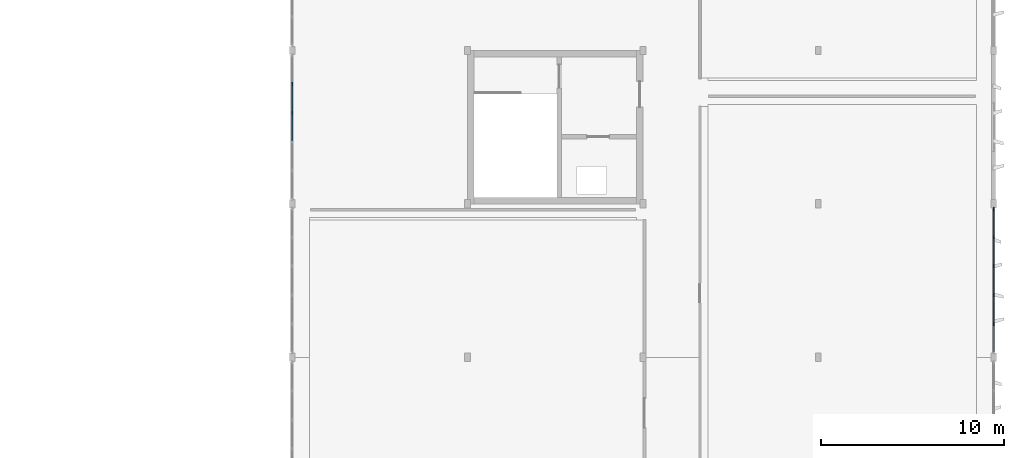
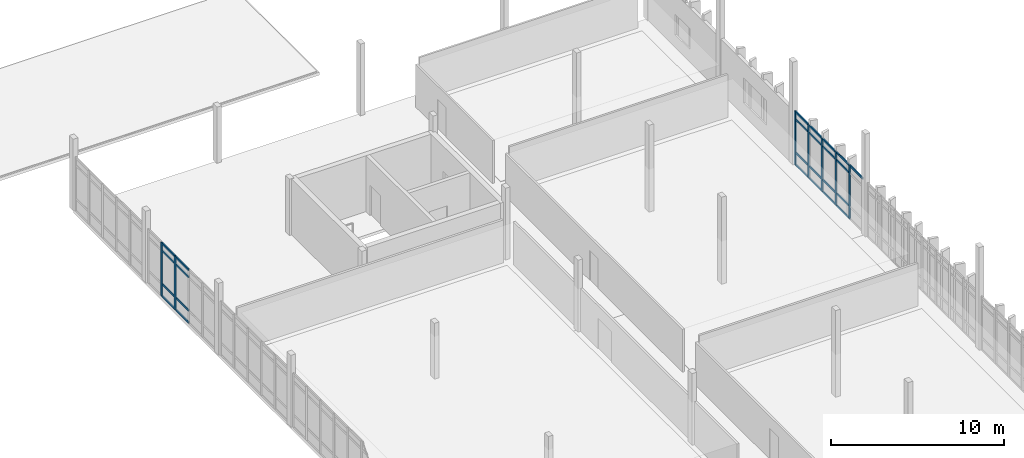
# One storey, part 27 of 61: 32 members, 2 elements without a shape of their own.
"""IFC4 building model written with IfcOpenShell, lengths in metres."""

from ifc_helpers import new_model, si_unit, direction, frame, origin, origin_2d, place, context, subcontext, project, spatial, rectangle, extrude, material, layer, layer_set, material_profile, profile_set, type_object, element, aggregate, save


model = new_model("IFC4")

# Units and contexts
model_context = context("Model", 3, precision=1e-05, world=origin(), true_north=direction((0.0, 1.0)))
body_context = subcontext(model_context, "Body", "Model", "MODEL_VIEW")
ifc_project = project(units=[si_unit("LENGTHUNIT", "METRE"), si_unit("AREAUNIT", "SQUARE_METRE"), si_unit("VOLUMEUNIT", "CUBIC_METRE"), si_unit("PLANEANGLEUNIT", "RADIAN"), si_unit("MASSUNIT", "GRAM", prefix="KILO")], contexts=[model_context])

# Site, building, storey
site_placement = place(None, origin())
site = spatial("IfcSite", under=ifc_project, at=site_placement, CompositionType="ELEMENT")
building_placement = place(site_placement, origin())
building = spatial("IfcBuilding", under=site, at=building_placement, Name="Kolvemor Railside Polytechnic", CompositionType="ELEMENT")
storey_placement = place(building_placement, frame((0.0, 0.0, 10.199951171875)))
storey = spatial("IfcBuildingStorey", under=building, at=storey_placement, Name="L02", CompositionType="ELEMENT", Elevation=10.199951171875)

# Curtain wall, members
ifc_material_1 = material(Name="Anodised marine aluminium and laminated low-E glass", Category="aluminium")
ifc_layer = layer(ifc_material_1, 0.179931640625, Name="CW-UNIT-STD")
ifc_layer_set = layer_set([ifc_layer], Name="Anodised marine aluminium and laminated low-E glass")
curtain_wall_type = type_object("IfcCurtainWallType", Name="CW-UNIT-STD", PredefinedType="USERDEFINED", material=ifc_layer_set)
curtain_wall_1_placement = place(storey_placement, origin())
curtain_wall_1 = element("IfcCurtainWall", 1, at=curtain_wall_1_placement, inside=storey, type_object=curtain_wall_type, Name="Curtain Wall L02-073", ObjectType="UNITISED CURTAIN WALL", PredefinedType="USERDEFINED")
ifc_material_2 = material(Name="Anodised marine aluminium 6063-T6", Category="aluminium")
ifc_material_profile_1 = material_profile(ifc_material_2, rectangle(XDim=0.074951171875, YDim=0.179931640625, at=origin_2d()), Name="CW-MUL-75x180")
ifc_profile_set_1 = profile_set([ifc_material_profile_1], Name="Anodised marine aluminium 6063-T6")
member_type_1 = type_object("IfcMemberType", Name="CWM-75x180", PredefinedType="MULLION", material=ifc_profile_set_1)
member_1_placement = place(storey_placement, frame((182.39990234375, 53.424072265625, 0.0), z_axis=(0.0, 0.0, 1.0), x_axis=(-1.0, 0.0, 0.0)))
member_1 = element("IfcMember", 2, at=member_1_placement, type_object=member_type_1, Name="CW-STD mullion 2", PredefinedType="MULLION", context=body_context, shape_type="SweptSolid", body=[
    extrude(rectangle(XDim=0.074951171875, YDim=0.179931640625, at=origin_2d()), origin(), (0.0, 0.0, 1.0), 3.800048828125),
])
member_2_placement = place(storey_placement, frame((182.39990234375, 55.008056640625, 0.0), z_axis=(0.0, 0.0, 1.0), x_axis=(-1.0, 0.0, 0.0)))
member_2 = element("IfcMember", 3, at=member_2_placement, type_object=member_type_1, Name="CW-STD mullion 3", PredefinedType="MULLION", context=body_context, shape_type="SweptSolid", body=[
    extrude(rectangle(XDim=0.074951171875, YDim=0.179931640625, at=origin_2d()), origin(), (0.0, 0.0, 1.0), 3.800048828125),
])
member_3_placement = place(storey_placement, frame((182.39990234375, 56.592041015625, 0.0), z_axis=(0.0, 0.0, 1.0), x_axis=(-1.0, 0.0, 0.0)))
member_3 = element("IfcMember", 4, at=member_3_placement, type_object=member_type_1, Name="CW-STD mullion 4", PredefinedType="MULLION", context=body_context, shape_type="SweptSolid", body=[
    extrude(rectangle(XDim=0.074951171875, YDim=0.179931640625, at=origin_2d()), origin(), (0.0, 0.0, 1.0), 3.800048828125),
])
member_4_placement = place(storey_placement, frame((182.39990234375, 58.176025390625, 0.0), z_axis=(0.0, 0.0, 1.0), x_axis=(-1.0, 0.0, 0.0)))
member_4 = element("IfcMember", 5, at=member_4_placement, type_object=member_type_1, Name="CW-STD mullion 5", PredefinedType="MULLION", context=body_context, shape_type="SweptSolid", body=[
    extrude(rectangle(XDim=0.074951171875, YDim=0.179931640625, at=origin_2d()), origin(), (0.0, 0.0, 1.0), 3.800048828125),
])
member_5_placement = place(storey_placement, frame((182.39990234375, 59.722412109375, 0.0), z_axis=(0.0, 0.0, 1.0), x_axis=(-1.0, 0.0, 0.0)))
member_5 = element("IfcMember", 6, at=member_5_placement, type_object=member_type_1, Name="CW-STD mullion 6", PredefinedType="MULLION", context=body_context, shape_type="SweptSolid", body=[
    extrude(rectangle(XDim=0.074951171875, YDim=0.179931640625, at=origin_2d()), origin(), (0.0, 0.0, 1.0), 3.800048828125),
])

curtain_wall_2_placement = place(storey_placement, origin())
curtain_wall_2 = element("IfcCurtainWall", 7, at=curtain_wall_2_placement, inside=storey, type_object=curtain_wall_type, Name="Curtain Wall L02-081", ObjectType="UNITISED CURTAIN WALL", PredefinedType="USERDEFINED")
member_6_placement = place(storey_placement, frame((144.0, 66.575927734375, 0.0), z_axis=(0.0, 0.0, 1.0), x_axis=(1.0, 0.0, 0.0)))
member_6 = element("IfcMember", 8, at=member_6_placement, type_object=member_type_1, Name="CW-STD mullion 2", PredefinedType="MULLION", context=body_context, shape_type="SweptSolid", body=[
    extrude(rectangle(XDim=0.074951171875, YDim=0.179931640625, at=origin_2d()), origin(), (0.0, 0.0, 1.0), 3.800048828125),
])
member_7_placement = place(storey_placement, frame((144.0, 64.991943359375, 0.0), z_axis=(0.0, 0.0, 1.0), x_axis=(1.0, 0.0, 0.0)))
member_7 = element("IfcMember", 9, at=member_7_placement, type_object=member_type_1, Name="CW-STD mullion 3", PredefinedType="MULLION", context=body_context, shape_type="SweptSolid", body=[
    extrude(rectangle(XDim=0.074951171875, YDim=0.179931640625, at=origin_2d()), origin(), (0.0, 0.0, 1.0), 3.800048828125),
])

# Member
ifc_material_3 = material(Name="Anodised marine aluminium 6063-T6", Category="aluminium")
ifc_material_profile_2 = material_profile(ifc_material_3, rectangle(XDim=0.074951171875, YDim=0.139892578125, at=origin_2d()), Name="CW-TRN-75x140")
ifc_profile_set_2 = profile_set([ifc_material_profile_2], Name="Anodised marine aluminium 6063-T6")
member_type_2 = type_object("IfcMemberType", Name="CWT-75x140", PredefinedType="USERDEFINED", material=ifc_profile_set_2)
member_8_placement = place(storey_placement, frame((182.39990234375, 51.9150390625, 3.762451171875), z_axis=(0.0, 1.0, 0.0), x_axis=(-1.0, 0.0, 0.0)))
member_8 = element("IfcMember", 10, at=member_8_placement, type_object=member_type_2, Name="CW-STD transom 1.4", ObjectType="TRANSOM", PredefinedType="USERDEFINED", context=body_context, shape_type="SweptSolid", body=[
    extrude(rectangle(XDim=0.074951171875, YDim=0.139892578125, at=origin_2d()), origin(), (0.0, 0.0, 1.0), 1.471435546875),
])

member_9_placement = place(storey_placement, frame((182.39990234375, 53.46142578125, 0.03759765625), z_axis=(0.0, 1.0, 0.0), x_axis=(-1.0, 0.0, 0.0)))
member_9 = element("IfcMember", 11, at=member_9_placement, type_object=member_type_2, Name="CW-STD transom 2.1", ObjectType="TRANSOM", PredefinedType="USERDEFINED", context=body_context, shape_type="SweptSolid", body=[
    extrude(rectangle(XDim=0.074951171875, YDim=0.139892578125, at=origin_2d()), origin(), (0.0, 0.0, 1.0), 1.509033203125),
])

member_10_placement = place(storey_placement, frame((182.39990234375, 53.46142578125, 0.900146484375), z_axis=(0.0, 1.0, 0.0), x_axis=(-1.0, 0.0, 0.0)))
member_10 = element("IfcMember", 12, at=member_10_placement, type_object=member_type_2, Name="CW-STD transom 2.2", ObjectType="TRANSOM", PredefinedType="USERDEFINED", context=body_context, shape_type="SweptSolid", body=[
    extrude(rectangle(XDim=0.074951171875, YDim=0.139892578125, at=origin_2d()), origin(), (0.0, 0.0, 1.0), 1.509033203125),
])

member_11_placement = place(storey_placement, frame((182.39990234375, 53.46142578125, 3.25), z_axis=(0.0, 1.0, 0.0), x_axis=(-1.0, 0.0, 0.0)))
member_11 = element("IfcMember", 13, at=member_11_placement, type_object=member_type_2, Name="CW-STD transom 2.3", ObjectType="TRANSOM", PredefinedType="USERDEFINED", context=body_context, shape_type="SweptSolid", body=[
    extrude(rectangle(XDim=0.074951171875, YDim=0.139892578125, at=origin_2d()), origin(), (0.0, 0.0, 1.0), 1.509033203125),
])

member_12_placement = place(storey_placement, frame((182.39990234375, 53.46142578125, 3.762451171875), z_axis=(0.0, 1.0, 0.0), x_axis=(-1.0, 0.0, 0.0)))
member_12 = element("IfcMember", 14, at=member_12_placement, type_object=member_type_2, Name="CW-STD transom 2.4", ObjectType="TRANSOM", PredefinedType="USERDEFINED", context=body_context, shape_type="SweptSolid", body=[
    extrude(rectangle(XDim=0.074951171875, YDim=0.139892578125, at=origin_2d()), origin(), (0.0, 0.0, 1.0), 1.509033203125),
])

member_13_placement = place(storey_placement, frame((182.39990234375, 55.04541015625, 0.03759765625), z_axis=(0.0, 1.0, 0.0), x_axis=(-1.0, 0.0, 0.0)))
member_13 = element("IfcMember", 15, at=member_13_placement, type_object=member_type_2, Name="CW-STD transom 3.1", ObjectType="TRANSOM", PredefinedType="USERDEFINED", context=body_context, shape_type="SweptSolid", body=[
    extrude(rectangle(XDim=0.074951171875, YDim=0.139892578125, at=origin_2d()), origin(), (0.0, 0.0, 1.0), 1.509033203125),
])

member_14_placement = place(storey_placement, frame((182.39990234375, 55.04541015625, 0.900146484375), z_axis=(0.0, 1.0, 0.0), x_axis=(-1.0, 0.0, 0.0)))
member_14 = element("IfcMember", 16, at=member_14_placement, type_object=member_type_2, Name="CW-STD transom 3.2", ObjectType="TRANSOM", PredefinedType="USERDEFINED", context=body_context, shape_type="SweptSolid", body=[
    extrude(rectangle(XDim=0.074951171875, YDim=0.139892578125, at=origin_2d()), origin(), (0.0, 0.0, 1.0), 1.509033203125),
])

member_15_placement = place(storey_placement, frame((182.39990234375, 55.04541015625, 3.25), z_axis=(0.0, 1.0, 0.0), x_axis=(-1.0, 0.0, 0.0)))
member_15 = element("IfcMember", 17, at=member_15_placement, type_object=member_type_2, Name="CW-STD transom 3.3", ObjectType="TRANSOM", PredefinedType="USERDEFINED", context=body_context, shape_type="SweptSolid", body=[
    extrude(rectangle(XDim=0.074951171875, YDim=0.139892578125, at=origin_2d()), origin(), (0.0, 0.0, 1.0), 1.509033203125),
])

member_16_placement = place(storey_placement, frame((182.39990234375, 55.04541015625, 3.762451171875), z_axis=(0.0, 1.0, 0.0), x_axis=(-1.0, 0.0, 0.0)))
member_16 = element("IfcMember", 18, at=member_16_placement, type_object=member_type_2, Name="CW-STD transom 3.4", ObjectType="TRANSOM", PredefinedType="USERDEFINED", context=body_context, shape_type="SweptSolid", body=[
    extrude(rectangle(XDim=0.074951171875, YDim=0.139892578125, at=origin_2d()), origin(), (0.0, 0.0, 1.0), 1.509033203125),
])

member_17_placement = place(storey_placement, frame((182.39990234375, 56.62939453125, 0.03759765625), z_axis=(0.0, 1.0, 0.0), x_axis=(-1.0, 0.0, 0.0)))
member_17 = element("IfcMember", 19, at=member_17_placement, type_object=member_type_2, Name="CW-STD transom 4.1", ObjectType="TRANSOM", PredefinedType="USERDEFINED", context=body_context, shape_type="SweptSolid", body=[
    extrude(rectangle(XDim=0.074951171875, YDim=0.139892578125, at=origin_2d()), origin(), (0.0, 0.0, 1.0), 1.509033203125),
])

member_18_placement = place(storey_placement, frame((182.39990234375, 56.62939453125, 0.900146484375), z_axis=(0.0, 1.0, 0.0), x_axis=(-1.0, 0.0, 0.0)))
member_18 = element("IfcMember", 20, at=member_18_placement, type_object=member_type_2, Name="CW-STD transom 4.2", ObjectType="TRANSOM", PredefinedType="USERDEFINED", context=body_context, shape_type="SweptSolid", body=[
    extrude(rectangle(XDim=0.074951171875, YDim=0.139892578125, at=origin_2d()), origin(), (0.0, 0.0, 1.0), 1.509033203125),
])

member_19_placement = place(storey_placement, frame((182.39990234375, 56.62939453125, 3.25), z_axis=(0.0, 1.0, 0.0), x_axis=(-1.0, 0.0, 0.0)))
member_19 = element("IfcMember", 21, at=member_19_placement, type_object=member_type_2, Name="CW-STD transom 4.3", ObjectType="TRANSOM", PredefinedType="USERDEFINED", context=body_context, shape_type="SweptSolid", body=[
    extrude(rectangle(XDim=0.074951171875, YDim=0.139892578125, at=origin_2d()), origin(), (0.0, 0.0, 1.0), 1.509033203125),
])

member_20_placement = place(storey_placement, frame((182.39990234375, 56.62939453125, 3.762451171875), z_axis=(0.0, 1.0, 0.0), x_axis=(-1.0, 0.0, 0.0)))
member_20 = element("IfcMember", 22, at=member_20_placement, type_object=member_type_2, Name="CW-STD transom 4.4", ObjectType="TRANSOM", PredefinedType="USERDEFINED", context=body_context, shape_type="SweptSolid", body=[
    extrude(rectangle(XDim=0.074951171875, YDim=0.139892578125, at=origin_2d()), origin(), (0.0, 0.0, 1.0), 1.509033203125),
])

member_21_placement = place(storey_placement, frame((182.39990234375, 58.21337890625, 0.03759765625), z_axis=(0.0, 1.0, 0.0), x_axis=(-1.0, 0.0, 0.0)))
member_21 = element("IfcMember", 23, at=member_21_placement, type_object=member_type_2, Name="CW-STD transom 5.1", ObjectType="TRANSOM", PredefinedType="USERDEFINED", context=body_context, shape_type="SweptSolid", body=[
    extrude(rectangle(XDim=0.074951171875, YDim=0.139892578125, at=origin_2d()), origin(), (0.0, 0.0, 1.0), 1.4716796875),
])

member_22_placement = place(storey_placement, frame((182.39990234375, 58.21337890625, 0.900146484375), z_axis=(0.0, 1.0, 0.0), x_axis=(-1.0, 0.0, 0.0)))
member_22 = element("IfcMember", 24, at=member_22_placement, type_object=member_type_2, Name="CW-STD transom 5.2", ObjectType="TRANSOM", PredefinedType="USERDEFINED", context=body_context, shape_type="SweptSolid", body=[
    extrude(rectangle(XDim=0.074951171875, YDim=0.139892578125, at=origin_2d()), origin(), (0.0, 0.0, 1.0), 1.4716796875),
])

member_23_placement = place(storey_placement, frame((182.39990234375, 58.21337890625, 3.25), z_axis=(0.0, 1.0, 0.0), x_axis=(-1.0, 0.0, 0.0)))
member_23 = element("IfcMember", 25, at=member_23_placement, type_object=member_type_2, Name="CW-STD transom 5.3", ObjectType="TRANSOM", PredefinedType="USERDEFINED", context=body_context, shape_type="SweptSolid", body=[
    extrude(rectangle(XDim=0.074951171875, YDim=0.139892578125, at=origin_2d()), origin(), (0.0, 0.0, 1.0), 1.4716796875),
])

member_24_placement = place(storey_placement, frame((182.39990234375, 58.21337890625, 3.762451171875), z_axis=(0.0, 1.0, 0.0), x_axis=(-1.0, 0.0, 0.0)))
member_24 = element("IfcMember", 26, at=member_24_placement, type_object=member_type_2, Name="CW-STD transom 5.4", ObjectType="TRANSOM", PredefinedType="USERDEFINED", context=body_context, shape_type="SweptSolid", body=[
    extrude(rectangle(XDim=0.074951171875, YDim=0.139892578125, at=origin_2d()), origin(), (0.0, 0.0, 1.0), 1.4716796875),
])

aggregate(curtain_wall_1, [member_1, member_2, member_3, member_4, member_5, member_8, member_9, member_10, member_11, member_12, member_13, member_14, member_15, member_16, member_17, member_18, member_19, member_20, member_21, member_22, member_23, member_24])

member_25_placement = place(storey_placement, frame((144.0, 66.53857421875, 0.03759765625), z_axis=(0.0, -1.0, 0.0), x_axis=(1.0, 0.0, 0.0)))
member_25 = element("IfcMember", 27, at=member_25_placement, type_object=member_type_2, Name="CW-STD transom 2.1", ObjectType="TRANSOM", PredefinedType="USERDEFINED", context=body_context, shape_type="SweptSolid", body=[
    extrude(rectangle(XDim=0.074951171875, YDim=0.139892578125, at=origin_2d()), origin(), (0.0, 0.0, 1.0), 1.509033203125),
])

member_26_placement = place(storey_placement, frame((144.0, 66.53857421875, 0.900146484375), z_axis=(0.0, -1.0, 0.0), x_axis=(1.0, 0.0, 0.0)))
member_26 = element("IfcMember", 28, at=member_26_placement, type_object=member_type_2, Name="CW-STD transom 2.2", ObjectType="TRANSOM", PredefinedType="USERDEFINED", context=body_context, shape_type="SweptSolid", body=[
    extrude(rectangle(XDim=0.074951171875, YDim=0.139892578125, at=origin_2d()), origin(), (0.0, 0.0, 1.0), 1.509033203125),
])

member_27_placement = place(storey_placement, frame((144.0, 66.53857421875, 3.25), z_axis=(0.0, -1.0, 0.0), x_axis=(1.0, 0.0, 0.0)))
member_27 = element("IfcMember", 29, at=member_27_placement, type_object=member_type_2, Name="CW-STD transom 2.3", ObjectType="TRANSOM", PredefinedType="USERDEFINED", context=body_context, shape_type="SweptSolid", body=[
    extrude(rectangle(XDim=0.074951171875, YDim=0.139892578125, at=origin_2d()), origin(), (0.0, 0.0, 1.0), 1.509033203125),
])

member_28_placement = place(storey_placement, frame((144.0, 66.53857421875, 3.762451171875), z_axis=(0.0, -1.0, 0.0), x_axis=(1.0, 0.0, 0.0)))
member_28 = element("IfcMember", 30, at=member_28_placement, type_object=member_type_2, Name="CW-STD transom 2.4", ObjectType="TRANSOM", PredefinedType="USERDEFINED", context=body_context, shape_type="SweptSolid", body=[
    extrude(rectangle(XDim=0.074951171875, YDim=0.139892578125, at=origin_2d()), origin(), (0.0, 0.0, 1.0), 1.509033203125),
])

member_29_placement = place(storey_placement, frame((144.0, 64.95458984375, 0.03759765625), z_axis=(0.0, -1.0, 0.0), x_axis=(1.0, 0.0, 0.0)))
member_29 = element("IfcMember", 31, at=member_29_placement, type_object=member_type_2, Name="CW-STD transom 3.1", ObjectType="TRANSOM", PredefinedType="USERDEFINED", context=body_context, shape_type="SweptSolid", body=[
    extrude(rectangle(XDim=0.074951171875, YDim=0.139892578125, at=origin_2d()), origin(), (0.0, 0.0, 1.0), 1.509033203125),
])

member_30_placement = place(storey_placement, frame((144.0, 64.95458984375, 0.900146484375), z_axis=(0.0, -1.0, 0.0), x_axis=(1.0, 0.0, 0.0)))
member_30 = element("IfcMember", 32, at=member_30_placement, type_object=member_type_2, Name="CW-STD transom 3.2", ObjectType="TRANSOM", PredefinedType="USERDEFINED", context=body_context, shape_type="SweptSolid", body=[
    extrude(rectangle(XDim=0.074951171875, YDim=0.139892578125, at=origin_2d()), origin(), (0.0, 0.0, 1.0), 1.509033203125),
])

member_31_placement = place(storey_placement, frame((144.0, 64.95458984375, 3.25), z_axis=(0.0, -1.0, 0.0), x_axis=(1.0, 0.0, 0.0)))
member_31 = element("IfcMember", 33, at=member_31_placement, type_object=member_type_2, Name="CW-STD transom 3.3", ObjectType="TRANSOM", PredefinedType="USERDEFINED", context=body_context, shape_type="SweptSolid", body=[
    extrude(rectangle(XDim=0.074951171875, YDim=0.139892578125, at=origin_2d()), origin(), (0.0, 0.0, 1.0), 1.509033203125),
])

member_32_placement = place(storey_placement, frame((144.0, 64.95458984375, 3.762451171875), z_axis=(0.0, -1.0, 0.0), x_axis=(1.0, 0.0, 0.0)))
member_32 = element("IfcMember", 34, at=member_32_placement, type_object=member_type_2, Name="CW-STD transom 3.4", ObjectType="TRANSOM", PredefinedType="USERDEFINED", context=body_context, shape_type="SweptSolid", body=[
    extrude(rectangle(XDim=0.074951171875, YDim=0.139892578125, at=origin_2d()), origin(), (0.0, 0.0, 1.0), 1.509033203125),
])

aggregate(curtain_wall_2, [member_6, member_7, member_25, member_26, member_27, member_28, member_29, member_30, member_31, member_32])

save(model, "model.ifc")
